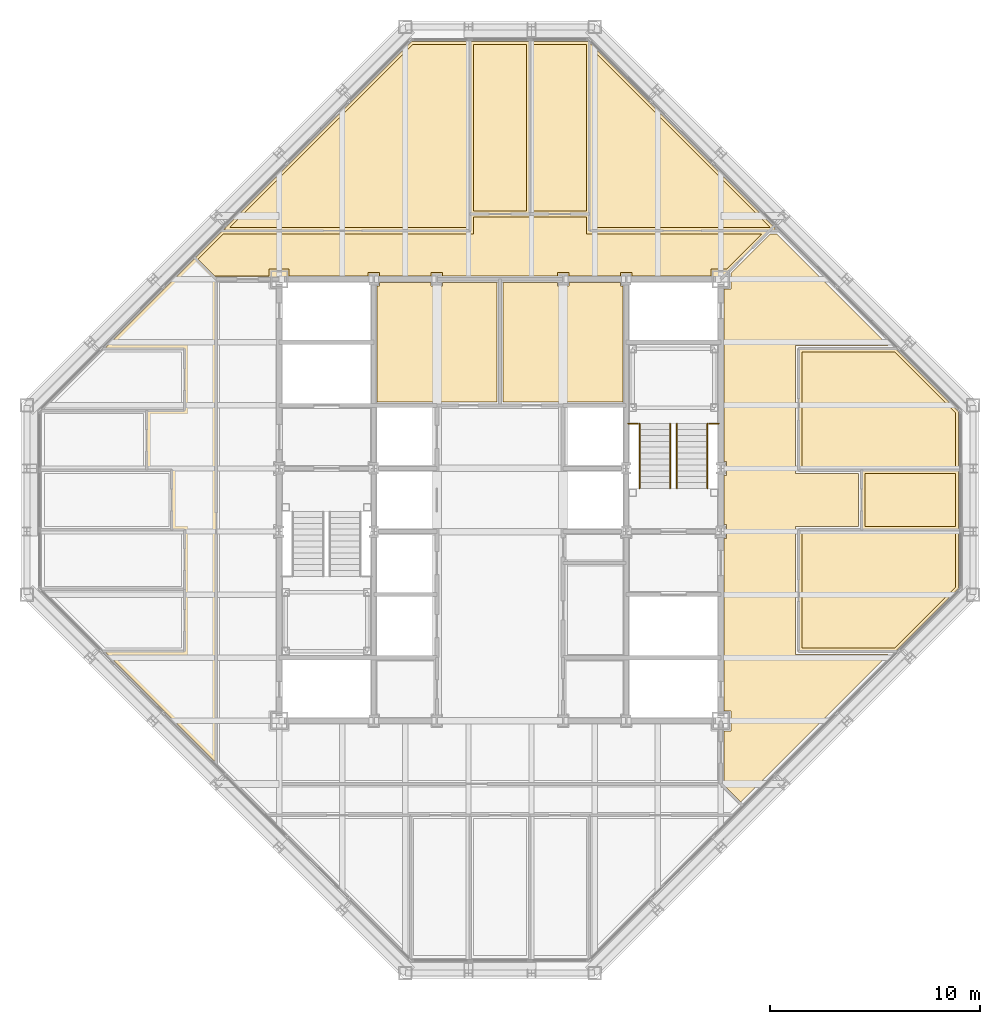
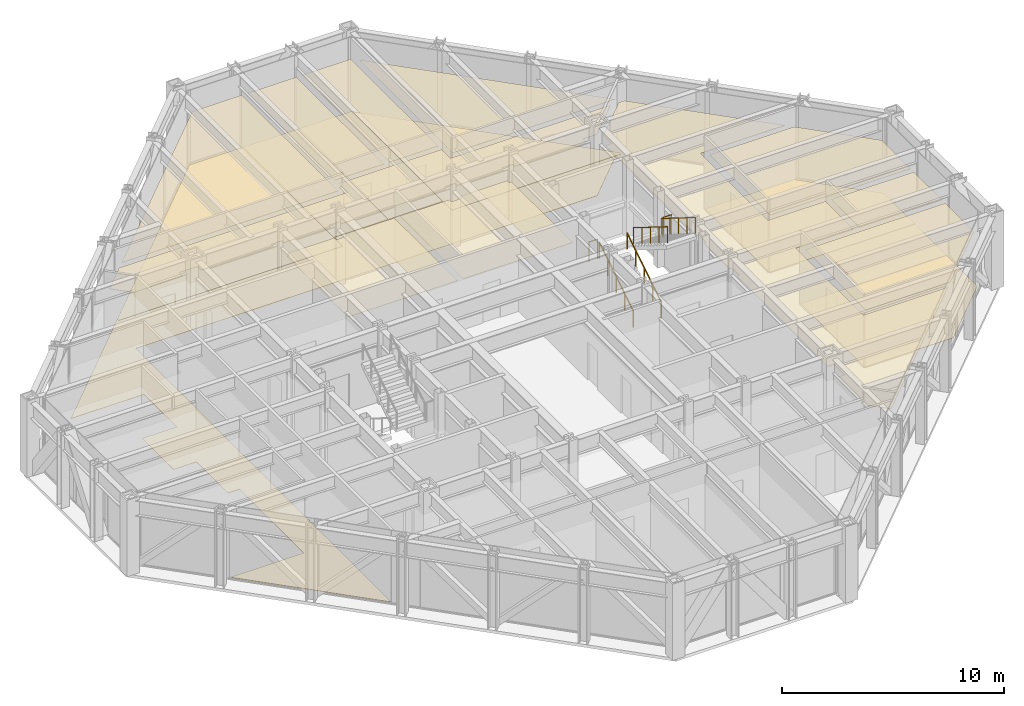
# One storey, part 15 of 15: 19 coverings, 6 railings.
"""IFC4 building model written with IfcOpenShell, lengths in metres."""

from ifc_helpers import new_model, si_unit, direction, frame, origin, origin_2d, place, context, subcontext, project, spatial, polyline, circle, outline, extrude, material, layer, layer_set, type_object, element, save


model = new_model("IFC4")

# Units and contexts
model_context = context("Model", 3, precision=1e-05, world=origin(), true_north=direction((0.0, 1.0)))
body_context = subcontext(model_context, "Body", "Model", "MODEL_VIEW")
ifc_project = project(units=[si_unit("LENGTHUNIT", "METRE"), si_unit("AREAUNIT", "SQUARE_METRE"), si_unit("VOLUMEUNIT", "CUBIC_METRE"), si_unit("PLANEANGLEUNIT", "RADIAN"), si_unit("MASSUNIT", "GRAM", prefix="KILO")], contexts=[model_context])

# Site, building, storey
site_placement = place(None, origin())
site = spatial("IfcSite", under=ifc_project, at=site_placement, CompositionType="ELEMENT")
building_placement = place(site_placement, origin())
building = spatial("IfcBuilding", under=site, at=building_placement, Name="Chuquiago Exchange Tower", CompositionType="ELEMENT")
storey_placement = place(building_placement, frame((0.0, 0.0, 274.800048828125)))
storey = spatial("IfcBuildingStorey", under=building, at=storey_placement, Name="L61", CompositionType="ELEMENT", Elevation=274.800048828125)

# Coverings
ifc_material_1 = material(Name="Mineral fibre tile, 600 x 600, on pale metal grid", Category="mineral fibre")
ifc_layer_1 = layer(ifc_material_1, 0.02001953125)
ifc_layer_set_1 = layer_set([ifc_layer_1], Name="CL1 suspended tile ceiling 20")
covering_type_1 = type_object("IfcCoveringType", Name="CL1 suspended tile ceiling 20", PredefinedType="CEILING", material=ifc_layer_set_1)
covering_1_placement = place(storey_placement, frame((0.0, 0.0, 3.0)))
element("IfcCovering", 1, at=covering_1_placement, inside=storey, type_object=covering_type_1, Name="Ceiling Meeting room", PredefinedType="CEILING", context=body_context, shape_type="SweptSolid", body=[
    extrude(outline(polyline([(41.255126953125, 15.45703125), (36.85009765625, 15.45703125), (36.85009765625, 20.932861328125), (44.14990234375, 20.932861328125), (44.14990234375, 18.35205078125), (41.255126953125, 15.45703125)])), origin(), (0.0, 0.0, 1.0), 0.02001953125),
])
covering_2_placement = place(storey_placement, frame((0.0, 0.0, 3.0)))
element("IfcCovering", 2, at=covering_2_placement, inside=storey, type_object=covering_type_1, Name="Ceiling Store", PredefinedType="CEILING", context=body_context, shape_type="SweptSolid", body=[
    extrude(outline(polyline([(39.85009765625, 21.23291015625), (39.85009765625, 23.76708984375), (44.14990234375, 23.76708984375), (44.14990234375, 21.23291015625), (39.85009765625, 21.23291015625)])), origin(), (0.0, 0.0, 1.0), 0.02001953125),
])
covering_3_placement = place(storey_placement, frame((0.0, 0.0, 3.0)))
element("IfcCovering", 3, at=covering_3_placement, inside=storey, type_object=covering_type_1, Name="Ceiling Meeting room", PredefinedType="CEILING", context=body_context, shape_type="SweptSolid", body=[
    extrude(outline(polyline([(44.14990234375, 24.067138671875), (36.85009765625, 24.067138671875), (36.85009765625, 29.54296875), (41.255126953125, 29.54296875), (44.14990234375, 26.64794921875), (44.14990234375, 24.067138671875)])), origin(), (0.0, 0.0, 1.0), 0.02001953125),
])
covering_4_placement = place(storey_placement, frame((0.0, 0.0, 3.0)))
element("IfcCovering", 4, at=covering_4_placement, inside=storey, type_object=covering_type_1, Name="Ceiling Training room", PredefinedType="CEILING", context=body_context, shape_type="SweptSolid", body=[
    extrude(outline(polyline([(18.35205078125, 44.14990234375), (20.932861328125, 44.14990234375), (20.932861328125, 35.449951171875), (9.652099609375, 35.449951171875), (18.35205078125, 44.14990234375)])), origin(), (0.0, 0.0, 1.0), 0.02001953125),
])
covering_5_placement = place(storey_placement, frame((0.0, 0.0, 3.0)))
element("IfcCovering", 5, at=covering_5_placement, inside=storey, type_object=covering_type_1, Name="Ceiling Office", PredefinedType="CEILING", context=body_context, shape_type="SweptSolid", body=[
    extrude(outline(polyline([(23.76708984375, 36.25), (21.23291015625, 36.25), (21.23291015625, 44.14990234375), (23.76708984375, 44.14990234375), (23.76708984375, 36.25)])), origin(), (0.0, 0.0, 1.0), 0.02001953125),
])
covering_6_placement = place(storey_placement, frame((0.0, 0.0, 3.0)))
element("IfcCovering", 6, at=covering_6_placement, inside=storey, type_object=covering_type_1, Name="Ceiling Office", PredefinedType="CEILING", context=body_context, shape_type="SweptSolid", body=[
    extrude(outline(polyline([(26.6015625, 36.25), (24.067138671875, 36.25), (24.067138671875, 44.14990234375), (26.6015625, 44.14990234375), (26.6015625, 36.25)])), origin(), (0.0, 0.0, 1.0), 0.02001953125),
])
covering_7_placement = place(storey_placement, frame((0.0, 0.0, 3.0)))
element("IfcCovering", 7, at=covering_7_placement, inside=storey, type_object=covering_type_1, Name="Ceiling Broker lounge", PredefinedType="CEILING", context=body_context, shape_type="SweptSolid", body=[
    extrude(outline(polyline([(26.901611328125, 35.449951171875), (26.901611328125, 43.896484375), (35.347900390625, 35.449951171875), (26.901611328125, 35.449951171875)])), origin(), (0.0, 0.0, 1.0), 0.02001953125),
])
covering_8_placement = place(storey_placement, frame((0.0, 0.0, 3.0)))
element("IfcCovering", 8, at=covering_8_placement, inside=storey, type_object=covering_type_1, Name="Ceiling Executive reception east", PredefinedType="CEILING", context=body_context, shape_type="SweptSolid", body=[
    extrude(outline(polyline([(33.14990234375, 11.52490234375), (33.47509765625, 11.52490234375), (33.47509765625, 12.47509765625), (33.14990234375, 12.47509765625), (33.14990234375, 20.67578125), (33.27490234375, 20.67578125), (33.27490234375, 21.32421875), (33.14990234375, 21.32421875), (33.14990234375, 23.67578125), (33.27490234375, 23.67578125), (33.27490234375, 24.32421875), (33.14990234375, 24.32421875), (33.14990234375, 32.52490234375), (33.47509765625, 32.52490234375), (33.47509765625, 33.26220703125), (35.36279296875, 35.14990234375), (35.64794921875, 35.14990234375), (40.955078125, 29.843017578125), (36.550048828125, 29.843017578125), (36.550048828125, 23.76708984375), (39.550048828125, 23.76708984375), (39.550048828125, 21.23291015625), (36.550048828125, 21.23291015625), (36.550048828125, 15.156982421875), (40.955078125, 15.156982421875), (33.948486328125, 8.150390625), (33.14990234375, 8.948974609375), (33.14990234375, 11.52490234375)])), origin(), (0.0, 0.0, 1.0), 0.02001953125),
])
covering_9_placement = place(storey_placement, frame((0.0, 0.0, 3.0)))
element("IfcCovering", 9, at=covering_9_placement, inside=storey, type_object=covering_type_1, Name="Ceiling Executive reception west", PredefinedType="CEILING", context=body_context, shape_type="SweptSolid", body=[
    extrude(outline(polyline([(9.35205078125, 35.14990234375), (21.23291015625, 35.14990234375), (21.23291015625, 35.949951171875), (26.6015625, 35.949951171875), (26.6015625, 35.14990234375), (34.937255859375, 35.14990234375), (33.26220703125, 33.47509765625), (32.52490234375, 33.47509765625), (32.52490234375, 33.14990234375), (28.77490234375, 33.14990234375), (28.77490234375, 33.32421875), (28.22509765625, 33.32421875), (28.22509765625, 33.14990234375), (25.77490234375, 33.14990234375), (25.77490234375, 33.32421875), (25.22509765625, 33.32421875), (25.22509765625, 33.14990234375), (19.77490234375, 33.14990234375), (19.77490234375, 33.32421875), (19.22509765625, 33.32421875), (19.22509765625, 33.14990234375), (16.77490234375, 33.14990234375), (16.77490234375, 33.32421875), (16.22509765625, 33.32421875), (16.22509765625, 33.14990234375), (12.47509765625, 33.14990234375), (12.47509765625, 33.47509765625), (11.52490234375, 33.47509765625), (11.52490234375, 33.14990234375), (8.948974609375, 33.14990234375), (8.150390625, 33.948486328125), (9.35205078125, 35.14990234375)])), origin(), (0.0, 0.0, 1.0), 0.02001953125),
])
ifc_material_2 = material(Name="Moisture resistant plasterboard on metal frame", Category="gypsum")
ifc_layer_2 = layer(ifc_material_2, 0.014892578125)
ifc_layer_set_2 = layer_set([ifc_layer_2], Name="CL2 moisture resistant ceiling 15")
covering_type_2 = type_object("IfcCoveringType", Name="CL2 moisture resistant ceiling 15", PredefinedType="CEILING", material=ifc_layer_set_2)
covering_10_placement = place(storey_placement, frame((0.0, 0.0, 2.599853515625)))
element("IfcCovering", 10, at=covering_10_placement, inside=storey, type_object=covering_type_2, Name="Ceiling Male WC", PredefinedType="CEILING", context=body_context, shape_type="SweptSolid", body=[
    extrude(outline(polyline([(16.64990234375, 27.14990234375), (16.64990234375, 32.67578125), (16.77490234375, 32.67578125), (16.77490234375, 32.85009765625), (19.22509765625, 32.85009765625), (19.22509765625, 32.67578125), (19.77490234375, 32.67578125), (19.77490234375, 32.85009765625), (22.35009765625, 32.85009765625), (22.35009765625, 27.14990234375), (16.64990234375, 27.14990234375)])), origin(), (0.0, 0.0, 1.0), 0.01513671875),
])
covering_11_placement = place(storey_placement, frame((0.0, 0.0, 2.599853515625)))
element("IfcCovering", 11, at=covering_11_placement, inside=storey, type_object=covering_type_2, Name="Ceiling Female WC", PredefinedType="CEILING", context=body_context, shape_type="SweptSolid", body=[
    extrude(outline(polyline([(22.64990234375, 27.14990234375), (22.64990234375, 32.85009765625), (25.22509765625, 32.85009765625), (25.22509765625, 32.67578125), (25.77490234375, 32.67578125), (25.77490234375, 32.85009765625), (28.22509765625, 32.85009765625), (28.22509765625, 32.67578125), (28.35009765625, 32.67578125), (28.35009765625, 27.14990234375), (22.64990234375, 27.14990234375)])), origin(), (0.0, 0.0, 1.0), 0.01513671875),
])
ifc_material_3 = material(Name="Carpet tile, 500 x 500, on the floor slab", Category="textile")
ifc_layer_3 = layer(ifc_material_3, 0.010009765625)
ifc_layer_set_3 = layer_set([ifc_layer_3], Name="FL1 carpet tile 10")
covering_type_3 = type_object("IfcCoveringType", Name="FL1 carpet tile 10", PredefinedType="FLOORING", material=ifc_layer_set_3)
covering_12_placement = place(storey_placement, origin())
element("IfcCovering", 12, at=covering_12_placement, inside=storey, type_object=covering_type_3, Name="Floor finish Meeting room", PredefinedType="FLOORING", context=body_context, shape_type="SweptSolid", body=[
    extrude(outline(polyline([(44.300048828125, 18.289794921875), (41.317138671875, 15.30712890625), (36.699951171875, 15.30712890625), (36.699951171875, 21.082763671875), (44.300048828125, 21.082763671875), (44.300048828125, 18.289794921875)])), origin(), (0.0, 0.0, 1.0), 0.010009765625),
])
covering_13_placement = place(storey_placement, origin())
element("IfcCovering", 13, at=covering_13_placement, inside=storey, type_object=covering_type_3, Name="Floor finish Meeting room", PredefinedType="FLOORING", context=body_context, shape_type="SweptSolid", body=[
    extrude(outline(polyline([(44.300048828125, 26.710205078125), (44.300048828125, 23.917236328125), (36.699951171875, 23.917236328125), (36.699951171875, 29.69287109375), (41.317138671875, 29.69287109375), (44.300048828125, 26.710205078125)])), origin(), (0.0, 0.0, 1.0), 0.010009765625),
])
covering_14_placement = place(storey_placement, origin())
element("IfcCovering", 14, at=covering_14_placement, inside=storey, type_object=covering_type_3, Name="Floor finish Training room", PredefinedType="FLOORING", context=body_context, shape_type="SweptSolid", body=[
    extrude(outline(polyline([(18.289794921875, 44.300048828125), (21.082763671875, 44.300048828125), (21.082763671875, 35.300048828125), (9.42431640625, 35.300048828125), (9.42431640625, 35.434326171875), (18.289794921875, 44.300048828125)])), origin(), (0.0, 0.0, 1.0), 0.010009765625),
])
covering_15_placement = place(storey_placement, origin())
element("IfcCovering", 15, at=covering_15_placement, inside=storey, type_object=covering_type_3, Name="Floor finish Office", PredefinedType="FLOORING", context=body_context, shape_type="SweptSolid", body=[
    extrude(outline(polyline([(23.917236328125, 44.300048828125), (23.917236328125, 36.10009765625), (21.082763671875, 36.10009765625), (21.082763671875, 44.300048828125), (23.917236328125, 44.300048828125)])), origin(), (0.0, 0.0, 1.0), 0.010009765625),
])
covering_16_placement = place(storey_placement, origin())
element("IfcCovering", 16, at=covering_16_placement, inside=storey, type_object=covering_type_3, Name="Floor finish Office", PredefinedType="FLOORING", context=body_context, shape_type="SweptSolid", body=[
    extrude(outline(polyline([(26.710205078125, 44.300048828125), (26.75146484375, 44.258544921875), (26.75146484375, 36.10009765625), (23.917236328125, 36.10009765625), (23.917236328125, 44.300048828125), (26.710205078125, 44.300048828125)])), origin(), (0.0, 0.0, 1.0), 0.010009765625),
])
ifc_material_4 = material(Name="Porcelain floor tile, 600 x 600, on adhesive bed", Category="ceramic")
ifc_layer_4 = layer(ifc_material_4, 0.014892578125)
ifc_layer_set_4 = layer_set([ifc_layer_4], Name="FL2 porcelain tile 15")
covering_type_4 = type_object("IfcCoveringType", Name="FL2 porcelain tile 15", PredefinedType="FLOORING", material=ifc_layer_set_4)
covering_17_placement = place(storey_placement, origin())
element("IfcCovering", 17, at=covering_17_placement, inside=storey, type_object=covering_type_4, Name="Floor finish Store", PredefinedType="FLOORING", context=body_context, shape_type="SweptSolid", body=[
    extrude(outline(polyline([(44.300048828125, 21.082763671875), (39.699951171875, 21.082763671875), (39.699951171875, 23.917236328125), (44.300048828125, 23.917236328125), (44.300048828125, 21.082763671875)])), origin(), (0.0, 0.0, 1.0), 0.014892578125),
])
covering_18_placement = place(storey_placement, origin())
element("IfcCovering", 18, at=covering_18_placement, inside=storey, type_object=covering_type_4, Name="Floor finish Broker lounge", PredefinedType="FLOORING", context=body_context, shape_type="SweptSolid", body=[
    extrude(outline(polyline([(35.57568359375, 35.434326171875), (35.57568359375, 35.300048828125), (26.75146484375, 35.300048828125), (26.75146484375, 44.258544921875), (35.57568359375, 35.434326171875)])), origin(), (0.0, 0.0, 1.0), 0.014892578125),
])
covering_19_placement = place(storey_placement, origin())
element("IfcCovering", 19, at=covering_19_placement, inside=storey, type_object=covering_type_4, Name="Floor finish Executive reception west", PredefinedType="FLOORING", context=body_context, shape_type="SweptSolid", body=[
    extrude(outline(polyline([(21.082763671875, 36.10009765625), (26.75146484375, 36.10009765625), (26.75146484375, 35.300048828125), (35.29931640625, 35.300048828125), (32.99951171875, 33.0), (9.0, 33.0), (9.0, 9.989990234375), (3.682861328125, 15.30712890625), (7.5, 15.30712890625), (7.5, 21.082763671875), (6.89990234375, 21.082763671875), (6.89990234375, 23.917236328125), (5.699951171875, 23.917236328125), (5.699951171875, 26.75146484375), (7.5, 26.75146484375), (7.5, 29.69287109375), (3.682861328125, 29.69287109375), (0.8505859375, 26.860595703125), (18.289794921875, 44.300048828125), (9.42431640625, 35.434326171875), (9.42431640625, 35.300048828125), (21.082763671875, 35.300048828125), (21.082763671875, 36.10009765625)])), origin(), (0.0, 0.0, 1.0), 0.014892578125),
])

# Railings
ifc_material_5 = material(Name="Pale metal guard with safety glass infill", Category="glass")
railing_type_1 = type_object("IfcRailingType", Name="GR1 guard 1100", PredefinedType="GUARDRAIL", material=ifc_material_5)
for number, where, name in (
    (20, (28.60009765625, 26.1298828125, 2.099853515625), "Guard ST2 L61 landing 2"),
    (21, (32.445068359375, 26.1298828125, 2.099853515625), "Guard ST2 L61 landing 2"),
):
    element("IfcRailing", number, at=place(storey_placement, frame(where)), inside=storey, type_object=railing_type_1, Name=name, PredefinedType="GUARDRAIL", context=body_context, shape_type="SweptSolid", body=[
        extrude(circle(Radius=0.02392578125, at=origin_2d()), frame((0.0, 0.0, 1.076171875), z_axis=(1.0, 0.0, 0.0), x_axis=(0.0, 1.0, 0.0)), (0.0, 0.0, 1.0), 0.454833984375),
        extrude(circle(Radius=0.02099609375, at=origin_2d()), origin(), (0.0, 0.0, 1.0), 1.052001953125),
        extrude(circle(Radius=0.02099609375, at=origin_2d()), frame((0.454833984375, 0.0, 0.0)), (0.0, 0.0, 1.0), 1.052001953125),
    ])
ifc_material_6 = material(Name="Pale metal handrail", Category="steel")
railing_type_2 = type_object("IfcRailingType", Name="HR1 handrail 900", PredefinedType="HANDRAIL", material=ifc_material_6)
for number, where, name in (
    (22, (30.5849609375, 23.050048828125, 0.175048828125), "Handrail ST2 L61 flight 1"),
    (23, (29.135009765625, 23.050048828125, 0.175048828125), "Handrail ST2 L61 flight 1"),
):
    element("IfcRailing", number, at=place(storey_placement, frame(where)), inside=storey, type_object=railing_type_2, Name=name, PredefinedType="HANDRAIL", context=body_context, shape_type="SweptSolid", body=[
        extrude(circle(Radius=0.02392578125, at=origin_2d()), frame((0.0, 0.0, 0.8759765625), z_axis=(0.0, 0.848009633417, 0.529980812513), x_axis=(-1.0, 0.0, 0.0)), (0.0, 0.0, 1.0), 3.6318359375),
        extrude(circle(Radius=0.02099609375, at=origin_2d()), origin(), (0.0, 0.0, 1.0), 0.851806640625),
        extrude(circle(Radius=0.02099609375, at=origin_2d()), frame((0.0, 0.77001953125, 0.481201171875)), (0.0, 0.0, 1.0), 0.851806640625),
        extrude(circle(Radius=0.02099609375, at=origin_2d()), frame((0.0, 1.5400390625, 0.96240234375)), (0.0, 0.0, 1.0), 0.851806640625),
        extrude(circle(Radius=0.02099609375, at=origin_2d()), frame((0.0, 2.309814453125, 1.443603515625)), (0.0, 0.0, 1.0), 0.851806640625),
        extrude(circle(Radius=0.02099609375, at=origin_2d()), frame((0.0, 3.079833984375, 1.9248046875)), (0.0, 0.0, 1.0), 0.851806640625),
    ])
for number, where, name in (
    (24, (30.9150390625, 26.1298828125, 2.27490234375), "Handrail ST2 L61 flight 2"),
    (25, (32.364990234375, 26.1298828125, 2.27490234375), "Handrail ST2 L61 flight 2"),
):
    element("IfcRailing", number, at=place(storey_placement, frame(where)), inside=storey, type_object=railing_type_2, Name=name, PredefinedType="HANDRAIL", context=body_context, shape_type="SweptSolid", body=[
        extrude(circle(Radius=0.02392578125, at=origin_2d()), frame((0.0, 0.0, 0.8759765625), z_axis=(0.0, -0.847979421464, 0.530029150871), x_axis=(1.0, 0.0, 0.0)), (0.0, 0.0, 1.0), 3.632080078125),
        extrude(circle(Radius=0.02099609375, at=origin_2d()), origin(), (0.0, 0.0, 1.0), 0.851806640625),
        extrude(circle(Radius=0.02099609375, at=origin_2d()), frame((0.0, -0.77001953125, 0.481201171875)), (0.0, 0.0, 1.0), 0.851806640625),
        extrude(circle(Radius=0.02099609375, at=origin_2d()), frame((0.0, -1.5400390625, 0.96240234375)), (0.0, 0.0, 1.0), 0.851806640625),
        extrude(circle(Radius=0.02099609375, at=origin_2d()), frame((0.0, -2.309814453125, 1.44384765625)), (0.0, 0.0, 1.0), 0.851806640625),
        extrude(circle(Radius=0.02099609375, at=origin_2d()), frame((0.0, -3.079833984375, 1.925048828125)), (0.0, 0.0, 1.0), 0.851806640625),
    ])

save(model, "model.ifc")
